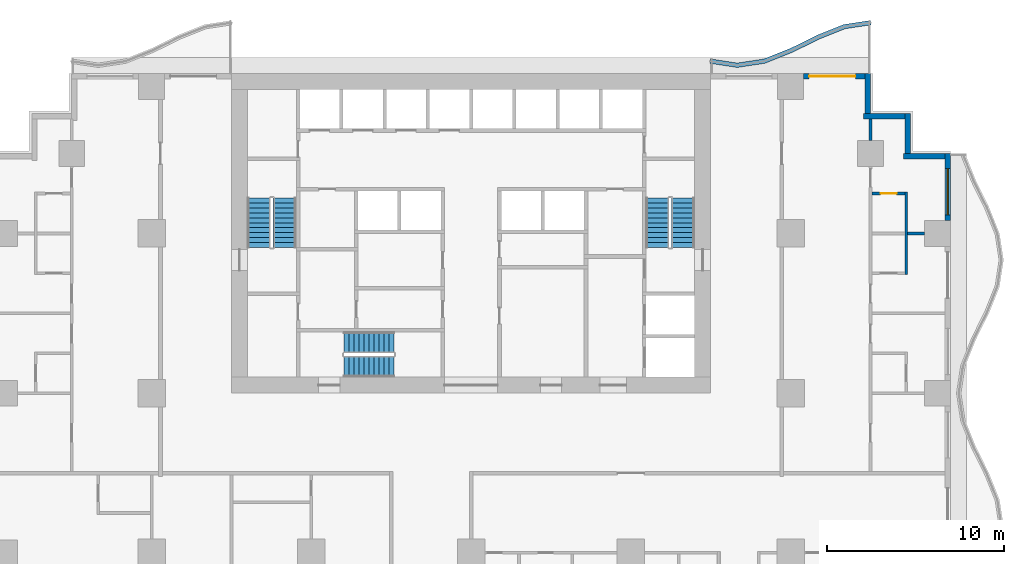
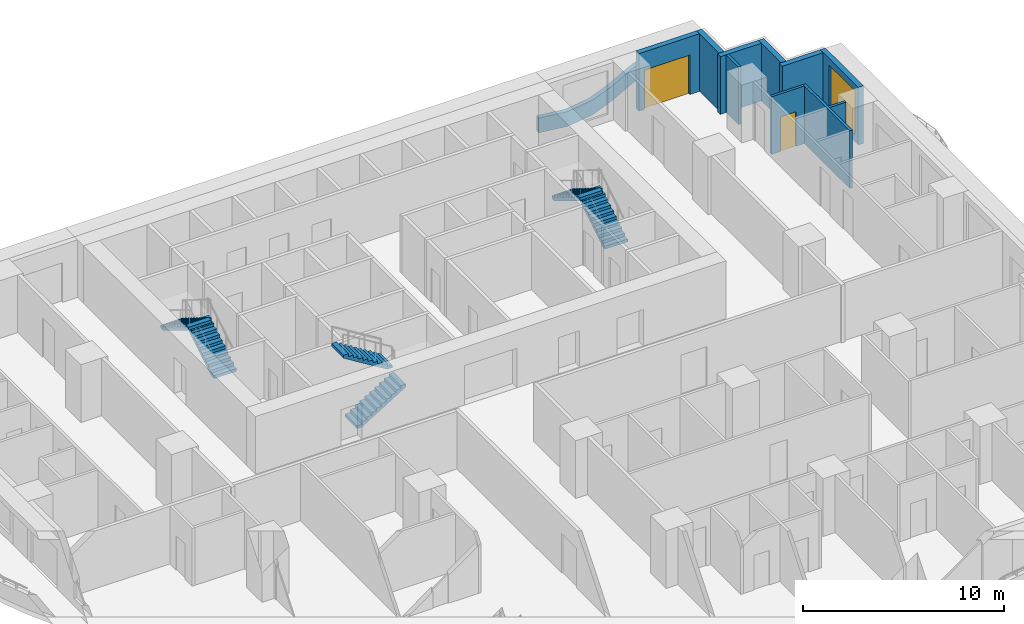
# One storey, part 7 of 14: 11 walls, 6 stair flights, 2 doors, 1 window, 3 openings, 3 elements without a shape of their own.
"""IFC4 building model written with IfcOpenShell, lengths in metres."""

from ifc_helpers import new_model, si_unit, direction, frame, frame_2d, origin, place, context, subcontext, project, spatial, polyline, rectangle, outline, extrude, material, layer, layer_set, type_object, element, fill, aggregate, save


model = new_model("IFC4")

# Units and contexts
model_context = context("Model", 3, precision=1e-05, world=origin(), true_north=direction((0.0, 1.0)))
body_context = subcontext(model_context, "Body", "Model", "MODEL_VIEW")
ifc_project = project(units=[si_unit("LENGTHUNIT", "METRE"), si_unit("AREAUNIT", "SQUARE_METRE"), si_unit("VOLUMEUNIT", "CUBIC_METRE"), si_unit("PLANEANGLEUNIT", "RADIAN"), si_unit("MASSUNIT", "GRAM", prefix="KILO")], contexts=[model_context])

# Site, building, storey
site_placement = place(None, origin())
site = spatial("IfcSite", under=ifc_project, at=site_placement, CompositionType="ELEMENT")
building_placement = place(site_placement, origin())
building = spatial("IfcBuilding", under=site, at=building_placement, Name="Orbiselva Terraces", CompositionType="ELEMENT")
storey_placement = place(building_placement, frame((0.0, 0.0, 22.6)))
storey = spatial("IfcBuildingStorey", under=building, at=storey_placement, Name="L05", CompositionType="ELEMENT", Elevation=22.6)

# Wall
ifc_material_1 = material(Name="Concrete C40/50", Category="concrete")
ifc_layer_1 = layer(ifc_material_1, 0.25)
ifc_layer_set_1 = layer_set([ifc_layer_1], Name="Concrete C40/50")
wall_type_1 = type_object("IfcWallType", Name="ENV-PLANTER-250x900", PredefinedType="USERDEFINED", material=ifc_layer_set_1)
wall_1_placement = place(storey_placement, origin())
element("IfcWall", 1, at=wall_1_placement, inside=storey, type_object=wall_type_1, Name="Balcony planter L05 NE", ObjectType="PLANTER", PredefinedType="USERDEFINED", context=body_context, shape_type="SweptSolid", body=[
    extrude(outline(polyline([(22.5, 25.5), (21.0, 25.27082), (19.5, 24.67082), (18.0, 23.92918), (16.5, 23.32918), (15.0, 23.1), (13.5, 23.32918), (13.462242, 23.082048), (15.0, 22.847099), (16.566166, 23.086388), (18.101983, 23.700715), (19.601983, 24.442355), (21.066166, 25.028028), (22.537758, 25.252868), (22.5, 25.5)])), origin(), (0.0, 0.0, 1.0), 0.9),
])

# Wall, opening, window
ifc_material_2 = material(Name="Terracotta cladding on masonry backing", Category="masonry")
ifc_layer_2 = layer(ifc_material_2, 0.3)
ifc_layer_set_2 = layer_set([ifc_layer_2], Name="Terracotta cladding on masonry backing")
wall_type_2 = type_object("IfcWallType", Name="ENV-WALL-TERRACOTTA-300", PredefinedType="SOLIDWALL", material=ifc_layer_set_2)
wall_2_placement = place(storey_placement, frame((26.85, 18.0, 0.0), z_axis=(0.0, 0.0, 1.0), x_axis=(0.0, -1.0, 0.0)))
wall_2 = element("IfcWall", 2, at=wall_2_placement, inside=storey, type_object=wall_type_2, Name="Facade wall L05 E", PredefinedType="SOLIDWALL", context=body_context, shape_type="SweptSolid", body=[
    extrude(rectangle(XDim=3.775, YDim=0.3, at=frame_2d((1.8875, 0.0))), origin(), (0.0, 0.0, 1.0), 3.5),
])
opening_1_placement = place(wall_2_placement, frame((0.85, 0.0, 0.45)))
opening_1 = element("IfcOpeningElement", 3, at=opening_1_placement, cuts=wall_2, Name="Opening WN1", PredefinedType="OPENING", context=body_context, shape_type="SweptSolid", body=[
    extrude(rectangle(XDim=2.6, YDim=2.65, at=frame_2d((1.3, 1.325))), frame((0.0, 0.16, 0.0), z_axis=(0.0, -1.0, 0.0), x_axis=(1.0, 0.0, 0.0)), (0.0, 0.0, 1.0), 0.32),
])
ifc_material_3 = material(Name="Clear low-e glazing in aluminium frame", Category="aluminium")
window_type = type_object("IfcWindowType", Name="WINDOW 2600 X 2650 S450", PartitioningType="TRIPLE_PANEL_VERTICAL", PredefinedType="WINDOW", material=ifc_material_3)
window_placement = place(opening_1_placement, origin())
window = element("IfcWindow", 4, at=window_placement, inside=storey, type_object=window_type, Name="Window L05 E", OverallHeight=2.65, OverallWidth=2.6, PartitioningType="SINGLE_PANEL", PredefinedType="WINDOW", context=body_context, shape_type="SweptSolid", body=[
    extrude(rectangle(XDim=2.6, YDim=2.65, at=frame_2d((1.3, 1.325))), frame((0.0, 0.03, 0.0), z_axis=(0.0, -1.0, 0.0), x_axis=(1.0, 0.0, 0.0)), (0.0, 0.0, 1.0), 0.06),
])
fill(opening_1, window)

# Walls
wall_3_placement = place(storey_placement, frame((24.35, 17.85, 0.0), z_axis=(0.0, 0.0, 1.0), x_axis=(1.0, 0.0, 0.0)))
element("IfcWall", 5, at=wall_3_placement, inside=storey, type_object=wall_type_2, Name="Facade wall L05 STEP", PredefinedType="SOLIDWALL", context=body_context, shape_type="SweptSolid", body=[
    extrude(rectangle(XDim=2.35, YDim=0.3, at=frame_2d((1.175, 0.0))), origin(), (0.0, 0.0, 1.0), 3.5),
])
wall_4_placement = place(storey_placement, frame((24.6, 20.25, 0.0), z_axis=(0.0, 0.0, 1.0), x_axis=(0.0, -1.0, 0.0)))
element("IfcWall", 6, at=wall_4_placement, inside=storey, type_object=wall_type_2, Name="Facade wall L05 STEP", PredefinedType="SOLIDWALL", context=body_context, shape_type="SweptSolid", body=[
    extrude(rectangle(XDim=2.25, YDim=0.3, at=frame_2d((1.125, 0.0))), origin(), (0.0, 0.0, 1.0), 3.5),
])
wall_5_placement = place(storey_placement, frame((22.1, 20.1, 0.0), z_axis=(0.0, 0.0, 1.0), x_axis=(1.0, 0.0, 0.0)))
element("IfcWall", 7, at=wall_5_placement, inside=storey, type_object=wall_type_2, Name="Facade wall L05 STEP", PredefinedType="SOLIDWALL", context=body_context, shape_type="SweptSolid", body=[
    extrude(rectangle(XDim=2.35, YDim=0.3, at=frame_2d((1.175, 0.0))), origin(), (0.0, 0.0, 1.0), 3.5),
])
wall_6_placement = place(storey_placement, frame((22.35, 22.5, 0.0), z_axis=(0.0, 0.0, 1.0), x_axis=(0.0, -1.0, 0.0)))
element("IfcWall", 8, at=wall_6_placement, inside=storey, type_object=wall_type_2, Name="Facade wall L05 STEP", PredefinedType="SOLIDWALL", context=body_context, shape_type="SweptSolid", body=[
    extrude(rectangle(XDim=2.25, YDim=0.3, at=frame_2d((1.125, 0.0))), origin(), (0.0, 0.0, 1.0), 3.5),
])

# Wall, opening, door
wall_7_placement = place(storey_placement, frame((18.725, 22.35, 0.0), z_axis=(0.0, 0.0, 1.0), x_axis=(1.0, 0.0, 0.0)))
wall_7 = element("IfcWall", 9, at=wall_7_placement, inside=storey, type_object=wall_type_2, Name="Facade wall L05 NE", PredefinedType="SOLIDWALL", context=body_context, shape_type="SweptSolid", body=[
    extrude(rectangle(XDim=3.475, YDim=0.3, at=frame_2d((1.7375, 0.0))), origin(), (0.0, 0.0, 1.0), 3.5),
])
opening_2_placement = place(wall_7_placement, frame((0.325, 0.0, 0.0)))
opening_2 = element("IfcOpeningElement", 10, at=opening_2_placement, cuts=wall_7, Name="Opening Z1-A-E07", PredefinedType="OPENING", context=body_context, shape_type="SweptSolid", body=[
    extrude(rectangle(XDim=2.6, YDim=2.4, at=frame_2d((1.3, 1.2))), frame((0.0, 0.16, 0.0), z_axis=(0.0, -1.0, 0.0), x_axis=(1.0, 0.0, 0.0)), (0.0, 0.0, 1.0), 0.32),
])
door_type_1 = type_object("IfcDoorType", Name="BALCONY DOOR 2600 X 2400", OperationType="DOUBLE_DOOR_SLIDING", PredefinedType="DOOR", material=ifc_material_3)
door_1_placement = place(opening_2_placement, origin())
door_1 = element("IfcDoor", 11, at=door_1_placement, inside=storey, type_object=door_type_1, Name="Z1-A-E07", OperationType="SINGLE_SWING_LEFT", OverallHeight=2.4, OverallWidth=2.6, PredefinedType="DOOR", context=body_context, shape_type="SweptSolid", body=[
    extrude(rectangle(XDim=2.6, YDim=2.4, at=frame_2d((1.3, 1.2))), frame((0.0, 0.025, 0.0), z_axis=(0.0, -1.0, 0.0), x_axis=(1.0, 0.0, 0.0)), (0.0, 0.0, 1.0), 0.05),
])
fill(opening_2, door_1)

# Wall
ifc_material_4 = material(Name="Plasterboard on steel stud partition", Category="steel")
ifc_layer_3 = layer(ifc_material_4, 0.15)
ifc_layer_set_3 = layer_set([ifc_layer_3], Name="Plasterboard on steel stud partition")
wall_type_3 = type_object("IfcWallType", Name="UNIT-PARTITION-150", PredefinedType="PARTITIONING", material=ifc_layer_set_3)
wall_8_placement = place(storey_placement, frame((24.6, 13.5, 0.0), z_axis=(0.0, 0.0, 1.0), x_axis=(1.0, 0.0, 0.0)))
element("IfcWall", 12, at=wall_8_placement, inside=storey, type_object=wall_type_3, Name="PARTITION L05-044", PredefinedType="PARTITIONING", context=body_context, shape_type="SweptSolid", body=[
    extrude(rectangle(XDim=0.95, YDim=0.15, at=frame_2d((0.475, 0.0))), origin(), (0.0, 0.0, 1.0), 3.5),
])

# Wall, opening, door
wall_9_placement = place(storey_placement, frame((24.45, 15.75, 0.0), z_axis=(0.0, 0.0, 1.0), x_axis=(-1.0, 0.0, 0.0)))
wall_9 = element("IfcWall", 13, at=wall_9_placement, inside=storey, type_object=wall_type_3, Name="PARTITION L05-046", PredefinedType="PARTITIONING", context=body_context, shape_type="SweptSolid", body=[
    extrude(rectangle(XDim=1.875, YDim=0.15, at=frame_2d((0.9375, 0.0))), origin(), (0.0, 0.0, 1.0), 3.5),
])
opening_3_placement = place(wall_9_placement, frame((0.475, 0.0, 0.0)))
opening_3 = element("IfcOpeningElement", 14, at=opening_3_placement, cuts=wall_9, Name="Opening Z1-A-16", PredefinedType="OPENING", context=body_context, shape_type="SweptSolid", body=[
    extrude(rectangle(XDim=0.9, YDim=2.1, at=frame_2d((0.45, 1.05))), frame((0.0, 0.085, 0.0), z_axis=(0.0, -1.0, 0.0), x_axis=(1.0, 0.0, 0.0)), (0.0, 0.0, 1.0), 0.17),
])
ifc_material_5 = material(Name="Painted timber door leaf", Category="wood")
door_type_2 = type_object("IfcDoorType", Name="BATH DOOR 900", OperationType="NOTDEFINED", PredefinedType="DOOR", material=ifc_material_5)
door_2_placement = place(opening_3_placement, origin())
door_2 = element("IfcDoor", 15, at=door_2_placement, inside=storey, type_object=door_type_2, Name="Z1-A-16", OperationType="SINGLE_SWING_LEFT", OverallHeight=2.1, OverallWidth=0.9, PredefinedType="DOOR", context=body_context, shape_type="SweptSolid", body=[
    extrude(rectangle(XDim=0.9, YDim=2.1, at=frame_2d((0.45, 1.05))), frame((0.0, 0.025, 0.0), z_axis=(0.0, -1.0, 0.0), x_axis=(1.0, 0.0, 0.0)), (0.0, 0.0, 1.0), 0.05),
])
fill(opening_3, door_2)

# Walls
wall_10_placement = place(storey_placement, frame((22.5, 18.725, 0.0), z_axis=(0.0, 0.0, 1.0), x_axis=(0.0, 1.0, 0.0)))
element("IfcWall", 16, at=wall_10_placement, inside=storey, type_object=wall_type_3, Name="PARTITION L05-089", PredefinedType="PARTITIONING", context=body_context, shape_type="SweptSolid", body=[
    extrude(rectangle(XDim=1.225, YDim=0.15, at=frame_2d((0.6125, 0.0))), origin(), (0.0, 0.0, 1.0), 3.5),
])
wall_11_placement = place(storey_placement, frame((24.525, 11.175, 0.0), z_axis=(0.0, 0.0, 1.0), x_axis=(0.0, 1.0, 0.0)))
element("IfcWall", 17, at=wall_11_placement, inside=storey, type_object=wall_type_3, Name="PARTITION L05-091", PredefinedType="PARTITIONING", context=body_context, shape_type="SweptSolid", body=[
    extrude(rectangle(XDim=4.65, YDim=0.15, at=frame_2d((2.325, 0.0))), origin(), (0.0, 0.0, 1.0), 3.5),
])

# Stair, stair flights
stair_type_1 = type_object("IfcStairType", Name="CORE-STAIR-1200", PredefinedType="HALF_TURN_STAIR", material=ifc_material_1)
stair_1_placement = place(storey_placement, origin())
stair_1 = element("IfcStair", 18, at=stair_1_placement, inside=storey, type_object=stair_type_1, Name="L05 Exit Stair S3", PredefinedType="HALF_TURN_STAIR")
stair_flight_type_1 = type_object("IfcStairFlightType", Name="CORE-STAIR-FLIGHT-1200", PredefinedType="STRAIGHT", material=ifc_material_1)
stair_flight_1_placement = place(storey_placement, frame((-7.15, 6.0, 0.0), z_axis=(0.0, 0.0, 1.0), x_axis=(1.0, 0.0, 0.0)))
stair_flight_1 = element("IfcStairFlight", 19, at=stair_flight_1_placement, type_object=stair_flight_type_1, Name="S3 flight 1", NumberOfRisers=11, NumberOfTreads=10, PredefinedType="STRAIGHT", RiserHeight=0.172727273, TreadLength=0.28, context=body_context, shape_type="SweptSolid", body=[
    extrude(outline(polyline([(0.0, 0.0), (0.0, 0.172727), (0.28, 0.172727), (0.28, 0.345455), (0.56, 0.345455), (0.56, 0.518182), (0.84, 0.518182), (0.84, 0.690909), (1.12, 0.690909), (1.12, 0.863636), (1.4, 0.863636), (1.4, 1.036364), (1.68, 1.036364), (1.68, 1.209091), (1.96, 1.209091), (1.96, 1.381818), (2.24, 1.381818), (2.24, 1.554545), (2.52, 1.554545), (2.52, 1.727273), (2.8, 1.727273), (2.8, 1.9), (2.8, 1.551028), (0.285702, 0.0), (0.0, 0.0)])), frame((0.0, 0.6, 0.0), z_axis=(0.0, -1.0, 0.0), x_axis=(1.0, 0.0, 0.0)), (0.0, 0.0, 1.0), 1.2),
])
stair_flight_2_placement = place(storey_placement, frame((-4.35, 7.35, 1.9), z_axis=(0.0, 0.0, 1.0), x_axis=(-1.0, 0.0, 0.0)))
stair_flight_2 = element("IfcStairFlight", 20, at=stair_flight_2_placement, type_object=stair_flight_type_1, Name="S3 flight 2", NumberOfRisers=11, NumberOfTreads=10, PredefinedType="STRAIGHT", RiserHeight=0.172727273, TreadLength=0.28, context=body_context, shape_type="SweptSolid", body=[
    extrude(outline(polyline([(0.0, 0.0), (0.0, 0.172727), (0.28, 0.172727), (0.28, 0.345455), (0.56, 0.345455), (0.56, 0.518182), (0.84, 0.518182), (0.84, 0.690909), (1.12, 0.690909), (1.12, 0.863636), (1.4, 0.863636), (1.4, 1.036364), (1.68, 1.036364), (1.68, 1.209091), (1.96, 1.209091), (1.96, 1.381818), (2.24, 1.381818), (2.24, 1.554545), (2.52, 1.554545), (2.52, 1.727273), (2.8, 1.727273), (2.8, 1.9), (2.8, 1.551028), (0.285702, 0.0), (0.0, 0.0)])), frame((0.0, 0.6, 0.0), z_axis=(0.0, -1.0, 0.0), x_axis=(1.0, 0.0, 0.0)), (0.0, 0.0, 1.0), 1.2),
])
aggregate(stair_1, [stair_flight_1, stair_flight_2])

stair_type_2 = type_object("IfcStairType", Name="CORE-STAIR-1300", PredefinedType="HALF_TURN_STAIR", material=ifc_material_1)
stair_2_placement = place(storey_placement, origin())
stair_2 = element("IfcStair", 21, at=stair_2_placement, inside=storey, type_object=stair_type_2, Name="L05 Exit Stair S1", PredefinedType="HALF_TURN_STAIR")
stair_flight_type_2 = type_object("IfcStairFlightType", Name="CORE-STAIR-FLIGHT-1300", PredefinedType="STRAIGHT", material=ifc_material_1)
stair_flight_3_placement = place(storey_placement, frame((-10.5, 12.7, 0.0), z_axis=(0.0, 0.0, 1.0), x_axis=(0.0, 1.0, 0.0)))
stair_flight_3 = element("IfcStairFlight", 22, at=stair_flight_3_placement, type_object=stair_flight_type_2, Name="S1 flight 1", NumberOfRisers=11, NumberOfTreads=10, PredefinedType="STRAIGHT", RiserHeight=0.172727273, TreadLength=0.28, context=body_context, shape_type="SweptSolid", body=[
    extrude(outline(polyline([(0.0, 0.0), (0.0, 0.172727), (0.28, 0.172727), (0.28, 0.345455), (0.56, 0.345455), (0.56, 0.518182), (0.84, 0.518182), (0.84, 0.690909), (1.12, 0.690909), (1.12, 0.863636), (1.4, 0.863636), (1.4, 1.036364), (1.68, 1.036364), (1.68, 1.209091), (1.96, 1.209091), (1.96, 1.381818), (2.24, 1.381818), (2.24, 1.554545), (2.52, 1.554545), (2.52, 1.727273), (2.8, 1.727273), (2.8, 1.9), (2.8, 1.551028), (0.285702, 0.0), (0.0, 0.0)])), frame((0.0, 0.65, 0.0), z_axis=(0.0, -1.0, 0.0), x_axis=(1.0, 0.0, 0.0)), (0.0, 0.0, 1.0), 1.3),
])
stair_flight_4_placement = place(storey_placement, frame((-11.95, 15.5, 1.9), z_axis=(0.0, 0.0, 1.0), x_axis=(0.0, -1.0, 0.0)))
stair_flight_4 = element("IfcStairFlight", 23, at=stair_flight_4_placement, type_object=stair_flight_type_2, Name="S1 flight 2", NumberOfRisers=11, NumberOfTreads=10, PredefinedType="STRAIGHT", RiserHeight=0.172727273, TreadLength=0.28, context=body_context, shape_type="SweptSolid", body=[
    extrude(outline(polyline([(0.0, 0.0), (0.0, 0.172727), (0.28, 0.172727), (0.28, 0.345455), (0.56, 0.345455), (0.56, 0.518182), (0.84, 0.518182), (0.84, 0.690909), (1.12, 0.690909), (1.12, 0.863636), (1.4, 0.863636), (1.4, 1.036364), (1.68, 1.036364), (1.68, 1.209091), (1.96, 1.209091), (1.96, 1.381818), (2.24, 1.381818), (2.24, 1.554545), (2.52, 1.554545), (2.52, 1.727273), (2.8, 1.727273), (2.8, 1.9), (2.8, 1.551028), (0.285702, 0.0), (0.0, 0.0)])), frame((0.0, 0.65, 0.0), z_axis=(0.0, -1.0, 0.0), x_axis=(1.0, 0.0, 0.0)), (0.0, 0.0, 1.0), 1.3),
])
aggregate(stair_2, [stair_flight_3, stair_flight_4])

stair_3_placement = place(storey_placement, origin())
stair_3 = element("IfcStair", 24, at=stair_3_placement, inside=storey, type_object=stair_type_2, Name="L05 Exit Stair S2", PredefinedType="HALF_TURN_STAIR")
stair_flight_5_placement = place(storey_placement, frame((11.95, 12.7, 0.0), z_axis=(0.0, 0.0, 1.0), x_axis=(0.0, 1.0, 0.0)))
stair_flight_5 = element("IfcStairFlight", 25, at=stair_flight_5_placement, type_object=stair_flight_type_2, Name="S2 flight 1", NumberOfRisers=11, NumberOfTreads=10, PredefinedType="STRAIGHT", RiserHeight=0.172727273, TreadLength=0.28, context=body_context, shape_type="SweptSolid", body=[
    extrude(outline(polyline([(0.0, 0.0), (0.0, 0.172727), (0.28, 0.172727), (0.28, 0.345455), (0.56, 0.345455), (0.56, 0.518182), (0.84, 0.518182), (0.84, 0.690909), (1.12, 0.690909), (1.12, 0.863636), (1.4, 0.863636), (1.4, 1.036364), (1.68, 1.036364), (1.68, 1.209091), (1.96, 1.209091), (1.96, 1.381818), (2.24, 1.381818), (2.24, 1.554545), (2.52, 1.554545), (2.52, 1.727273), (2.8, 1.727273), (2.8, 1.9), (2.8, 1.551028), (0.285702, 0.0), (0.0, 0.0)])), frame((0.0, 0.65, 0.0), z_axis=(0.0, -1.0, 0.0), x_axis=(1.0, 0.0, 0.0)), (0.0, 0.0, 1.0), 1.3),
])
stair_flight_6_placement = place(storey_placement, frame((10.5, 15.5, 1.9), z_axis=(0.0, 0.0, 1.0), x_axis=(0.0, -1.0, 0.0)))
stair_flight_6 = element("IfcStairFlight", 26, at=stair_flight_6_placement, type_object=stair_flight_type_2, Name="S2 flight 2", NumberOfRisers=11, NumberOfTreads=10, PredefinedType="STRAIGHT", RiserHeight=0.172727273, TreadLength=0.28, context=body_context, shape_type="SweptSolid", body=[
    extrude(outline(polyline([(0.0, 0.0), (0.0, 0.172727), (0.28, 0.172727), (0.28, 0.345455), (0.56, 0.345455), (0.56, 0.518182), (0.84, 0.518182), (0.84, 0.690909), (1.12, 0.690909), (1.12, 0.863636), (1.4, 0.863636), (1.4, 1.036364), (1.68, 1.036364), (1.68, 1.209091), (1.96, 1.209091), (1.96, 1.381818), (2.24, 1.381818), (2.24, 1.554545), (2.52, 1.554545), (2.52, 1.727273), (2.8, 1.727273), (2.8, 1.9), (2.8, 1.551028), (0.285702, 0.0), (0.0, 0.0)])), frame((0.0, 0.65, 0.0), z_axis=(0.0, -1.0, 0.0), x_axis=(1.0, 0.0, 0.0)), (0.0, 0.0, 1.0), 1.3),
])
aggregate(stair_3, [stair_flight_5, stair_flight_6])

save(model, "model.ifc")
